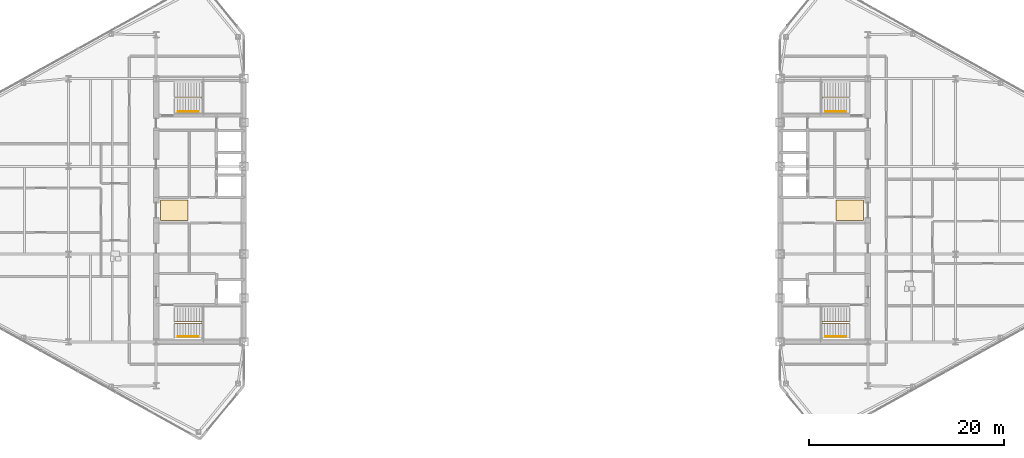
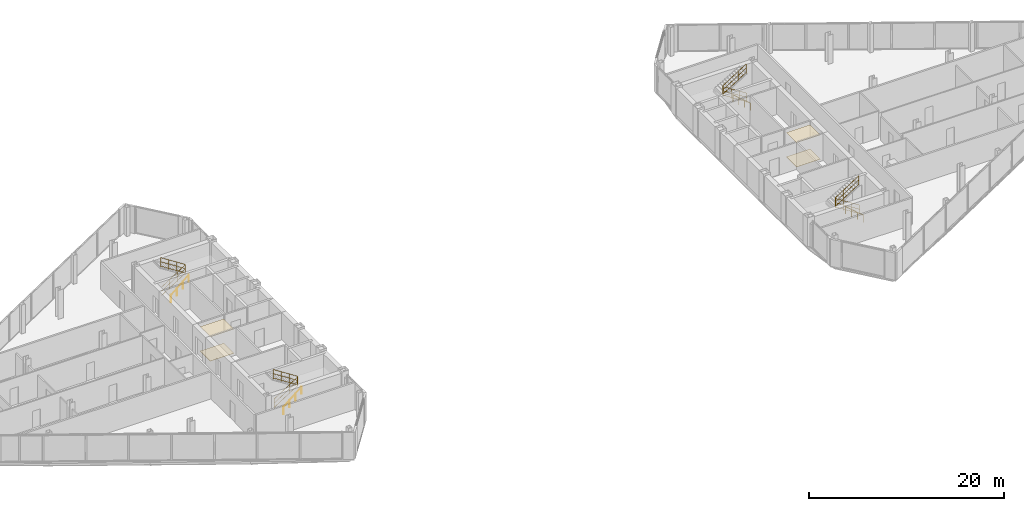
# One storey, part 24 of 25: 8 railings, 4 coverings.
"""IFC4 building model written with IfcOpenShell, lengths in metres."""

from ifc_helpers import new_model, si_unit, direction, frame, origin, origin_2d, place, context, subcontext, project, spatial, polyline, circle, outline, extrude, material, layer, layer_set, type_object, element, save


model = new_model("IFC4")

# Units and contexts
model_context = context("Model", 3, precision=1e-05, world=origin(), true_north=direction((0.0, 1.0)))
body_context = subcontext(model_context, "Body", "Model", "MODEL_VIEW")
ifc_project = project(units=[si_unit("LENGTHUNIT", "METRE"), si_unit("AREAUNIT", "SQUARE_METRE"), si_unit("VOLUMEUNIT", "CUBIC_METRE"), si_unit("PLANEANGLEUNIT", "RADIAN"), si_unit("MASSUNIT", "GRAM", prefix="KILO")], contexts=[model_context])

# Site, building, storey
site_placement = place(None, origin())
site = spatial("IfcSite", under=ifc_project, at=site_placement, CompositionType="ELEMENT")
building_placement = place(site_placement, origin())
building = spatial("IfcBuilding", under=site, at=building_placement, Name="Seokmaru Belvedere", CompositionType="ELEMENT")
storey_placement = place(building_placement, frame((0.0, 0.0, 185.10009765625)))
storey = spatial("IfcBuildingStorey", under=building, at=storey_placement, Name="L49", CompositionType="ELEMENT", Elevation=185.10009765625)

# Coverings
ifc_material_1 = material(Name="Engineered White Oak Timber", Category="wood")
ifc_layer_1 = layer(ifc_material_1, 0.02197265625)
ifc_layer_set_1 = layer_set([ifc_layer_1], Name="Engineered White Oak Timber")
covering_type_1 = type_object("IfcCoveringType", Name="Engineered Oak Residence Floor Finish 22", PredefinedType="FLOORING", material=ifc_layer_set_1)
covering_1_placement = place(storey_placement, origin())
element("IfcCovering", 1, at=covering_1_placement, inside=storey, type_object=covering_type_1, Name="L49 W Foyer Floor Finish", PredefinedType="FLOORING", context=body_context, shape_type="SweptSolid", body=[
    extrude(outline(polyline([(-36.050048828125, -1.050048828125), (-33.25, -1.050048828125), (-33.25, 1.050048828125), (-36.050048828125, 1.050048828125), (-36.050048828125, -1.050048828125)])), origin(), (0.0, 0.0, 1.0), 0.02197265625),
])
covering_2_placement = place(storey_placement, origin())
element("IfcCovering", 2, at=covering_2_placement, inside=storey, type_object=covering_type_1, Name="L49 E Foyer Floor Finish", PredefinedType="FLOORING", context=body_context, shape_type="SweptSolid", body=[
    extrude(outline(polyline([(33.25, -1.050048828125), (36.050048828125, -1.050048828125), (36.050048828125, 1.050048828125), (33.25, 1.050048828125), (33.25, -1.050048828125)])), origin(), (0.0, 0.0, 1.0), 0.02197265625),
])
ifc_material_2 = material(Name="Fire-Rated Gypsum Shaftwall")
ifc_layer_2 = layer(ifc_material_2, 0.02490234375)
ifc_layer_set_2 = layer_set([ifc_layer_2], Name="Fire-Rated Gypsum Shaftwall")
covering_type_2 = type_object("IfcCoveringType", Name="Perforated Acoustic Gypsum Suspended Ceiling 25", PredefinedType="CEILING", material=ifc_layer_set_2)
covering_3_placement = place(storey_placement, frame((0.0, 0.0, 3.02978515625)))
element("IfcCovering", 3, at=covering_3_placement, inside=storey, type_object=covering_type_2, Name="L49 W Lift Foyer Acoustic Ceiling", PredefinedType="CEILING", context=body_context, shape_type="SweptSolid", body=[
    extrude(outline(polyline([(-36.050048828125, -1.050048828125), (-33.25, -1.050048828125), (-33.25, 1.050048828125), (-36.050048828125, 1.050048828125), (-36.050048828125, -1.050048828125)])), origin(), (0.0, 0.0, 1.0), 0.025146484375),
])
covering_4_placement = place(storey_placement, frame((0.0, 0.0, 3.02978515625)))
element("IfcCovering", 4, at=covering_4_placement, inside=storey, type_object=covering_type_2, Name="L49 E Lift Foyer Acoustic Ceiling", PredefinedType="CEILING", context=body_context, shape_type="SweptSolid", body=[
    extrude(outline(polyline([(33.25, -1.050048828125), (36.050048828125, -1.050048828125), (36.050048828125, 1.050048828125), (33.25, 1.050048828125), (33.25, -1.050048828125)])), origin(), (0.0, 0.0, 1.0), 0.025146484375),
])

# Railings
ifc_material_3 = material(Name="Stainless Steel 316", Category="steel")
railing_type_1 = type_object("IfcRailingType", Name="Stainless Steel Wall and Flight Handrail 900", PredefinedType="HANDRAIL", material=ifc_material_3)
for number, where, name in (
    (5, (-34.25, -12.949951171875, 0.0), "L49 Stair ST-W1 Wall Handrail"),
    (6, (-34.25, 10.110107421875, 0.0), "L49 Stair ST-W2 Wall Handrail"),
):
    element("IfcRailing", number, at=place(storey_placement, frame(where)), inside=storey, type_object=railing_type_1, Name=name, PredefinedType="HANDRAIL", context=body_context, shape_type="SweptSolid", body=[
        extrude(circle(Radius=0.02392578125, at=origin_2d()), frame((0.0, 0.0, 0.8759765625), z_axis=(0.759306447245, 0.0, 0.650733216588), x_axis=(0.0, 1.0, 0.0)), (0.0, 0.0, 1.0), 2.765869140625),
        extrude(circle(Radius=0.02099609375, at=origin_2d()), origin(), (0.0, 0.0, 1.0), 0.851806640625),
        extrude(circle(Radius=0.02099609375, at=origin_2d()), frame((0.699951171875, 0.0, 0.599853515625)), (0.0, 0.0, 1.0), 0.851806640625),
        extrude(circle(Radius=0.02099609375, at=origin_2d()), frame((1.400146484375, 0.0, 1.199951171875)), (0.0, 0.0, 1.0), 0.851806640625),
        extrude(circle(Radius=0.02099609375, at=origin_2d()), frame((2.10009765625, 0.0, 1.7998046875)), (0.0, 0.0, 1.0), 0.851806640625),
    ])
for number, where, name in (
    (7, (34.25, -12.949951171875, 0.0), "L49 Stair ST-E1 Wall Handrail"),
    (8, (34.25, 10.110107421875, 0.0), "L49 Stair ST-E2 Wall Handrail"),
):
    element("IfcRailing", number, at=place(storey_placement, frame(where)), inside=storey, type_object=railing_type_1, Name=name, PredefinedType="HANDRAIL", context=body_context, shape_type="SweptSolid", body=[
        extrude(circle(Radius=0.02392578125, at=origin_2d()), frame((0.0, 0.0, 0.8759765625), z_axis=(-0.759306447245, 0.0, 0.650733216588), x_axis=(0.0, -1.0, 0.0)), (0.0, 0.0, 1.0), 2.765869140625),
        extrude(circle(Radius=0.02099609375, at=origin_2d()), origin(), (0.0, 0.0, 1.0), 0.851806640625),
        extrude(circle(Radius=0.02099609375, at=origin_2d()), frame((-0.699951171875, 0.0, 0.599853515625)), (0.0, 0.0, 1.0), 0.851806640625),
        extrude(circle(Radius=0.02099609375, at=origin_2d()), frame((-1.400146484375, 0.0, 1.199951171875)), (0.0, 0.0, 1.0), 0.851806640625),
        extrude(circle(Radius=0.02099609375, at=origin_2d()), frame((-2.10009765625, 0.0, 1.7998046875)), (0.0, 0.0, 1.0), 0.851806640625),
    ])
railing_type_2 = type_object("IfcRailingType", Name="Stair Well and Atrium Steel Guardrail 1200", PredefinedType="GUARDRAIL", material=ifc_material_3)
railing_1_placement = place(storey_placement, frame((-34.60009765625, -11.60009765625, 0.0)))
element("IfcRailing", 9, at=railing_1_placement, inside=storey, type_object=railing_type_2, Name="L49 Stair ST-W1 Inner Well Guardrail", PredefinedType="GUARDRAIL", context=body_context, shape_type="SweptSolid", body=[
    extrude(circle(Radius=0.02392578125, at=origin_2d()), frame((0.0, 0.0, 1.17578125), z_axis=(0.841209454229, 0.0, 0.540709398952), x_axis=(0.0, 1.0, 0.0)), (0.0, 0.0, 1.0), 3.32861328125),
    extrude(circle(Radius=0.02392578125, at=origin_2d()), frame((0.0, 0.0, 0.1201171875), z_axis=(0.841209454229, 0.0, 0.540709398952), x_axis=(0.0, 1.0, 0.0)), (0.0, 0.0, 1.0), 3.32861328125),
    extrude(circle(Radius=0.02392578125, at=origin_2d()), frame((0.0, 0.0, 0.659912109375), z_axis=(0.841209454229, 0.0, 0.540709398952), x_axis=(0.0, 1.0, 0.0)), (0.0, 0.0, 1.0), 3.32861328125),
    extrude(circle(Radius=0.02392578125, at=origin_2d()), frame((2.800048828125, 0.0, 2.9755859375), z_axis=(0.0, 1.0, 0.0), x_axis=(-1.0, 0.0, 0.0)), (0.0, 0.0, 1.0), 0.14013671875),
    extrude(circle(Radius=0.02392578125, at=origin_2d()), frame((2.800048828125, 0.0, 1.919921875), z_axis=(0.0, 1.0, 0.0), x_axis=(-1.0, 0.0, 0.0)), (0.0, 0.0, 1.0), 0.14013671875),
    extrude(circle(Radius=0.02392578125, at=origin_2d()), frame((2.800048828125, 0.0, 2.459716796875), z_axis=(0.0, 1.0, 0.0), x_axis=(-1.0, 0.0, 0.0)), (0.0, 0.0, 1.0), 0.14013671875),
    extrude(circle(Radius=0.02392578125, at=origin_2d()), frame((2.800048828125, 0.14013671875, 2.9755859375), z_axis=(-0.841176092368, 0.0, 0.540761298198), x_axis=(0.0, -1.0, 0.0)), (0.0, 0.0, 1.0), 3.32861328125),
    extrude(circle(Radius=0.02392578125, at=origin_2d()), frame((2.800048828125, 0.14013671875, 1.919921875), z_axis=(-0.841176092368, 0.0, 0.540761298198), x_axis=(0.0, -1.0, 0.0)), (0.0, 0.0, 1.0), 3.32861328125),
    extrude(circle(Radius=0.02392578125, at=origin_2d()), frame((2.800048828125, 0.14013671875, 2.459716796875), z_axis=(-0.841176092368, 0.0, 0.540761298198), x_axis=(0.0, -1.0, 0.0)), (0.0, 0.0, 1.0), 3.32861328125),
    extrude(circle(Radius=0.02099609375, at=origin_2d()), origin(), (0.0, 0.0, 1.0), 1.15185546875),
    extrude(circle(Radius=0.02099609375, at=origin_2d()), frame((0.933349609375, 0.0, 0.599853515625)), (0.0, 0.0, 1.0), 1.15185546875),
    extrude(circle(Radius=0.02099609375, at=origin_2d()), frame((1.86669921875, 0.0, 1.199951171875)), (0.0, 0.0, 1.0), 1.15185546875),
    extrude(circle(Radius=0.02099609375, at=origin_2d()), frame((2.800048828125, 0.0, 1.7998046875)), (0.0, 0.0, 1.0), 1.15185546875),
    extrude(circle(Radius=0.02099609375, at=origin_2d()), frame((2.800048828125, 0.14013671875, 1.7998046875)), (0.0, 0.0, 1.0), 1.15185546875),
    extrude(circle(Radius=0.02099609375, at=origin_2d()), frame((1.86669921875, 0.14013671875, 2.39990234375)), (0.0, 0.0, 1.0), 1.15185546875),
    extrude(circle(Radius=0.02099609375, at=origin_2d()), frame((0.933349609375, 0.14013671875, 2.999755859375)), (0.0, 0.0, 1.0), 1.15185546875),
    extrude(circle(Radius=0.02099609375, at=origin_2d()), frame((0.0, 0.14013671875, 3.599853515625)), (0.0, 0.0, 1.0), 1.15185546875),
])
railing_2_placement = place(storey_placement, frame((-34.60009765625, 11.4599609375, 0.0)))
element("IfcRailing", 10, at=railing_2_placement, inside=storey, type_object=railing_type_2, Name="L49 Stair ST-W2 Inner Well Guardrail", PredefinedType="GUARDRAIL", context=body_context, shape_type="SweptSolid", body=[
    extrude(circle(Radius=0.02392578125, at=origin_2d()), frame((0.0, 0.0, 1.17578125), z_axis=(0.841209454229, 0.0, 0.540709398952), x_axis=(0.0, 1.0, 0.0)), (0.0, 0.0, 1.0), 3.32861328125),
    extrude(circle(Radius=0.02392578125, at=origin_2d()), frame((0.0, 0.0, 0.1201171875), z_axis=(0.841209454229, 0.0, 0.540709398952), x_axis=(0.0, 1.0, 0.0)), (0.0, 0.0, 1.0), 3.32861328125),
    extrude(circle(Radius=0.02392578125, at=origin_2d()), frame((0.0, 0.0, 0.659912109375), z_axis=(0.841209454229, 0.0, 0.540709398952), x_axis=(0.0, 1.0, 0.0)), (0.0, 0.0, 1.0), 3.32861328125),
    extrude(circle(Radius=0.02392578125, at=origin_2d()), frame((2.800048828125, 0.0, 2.9755859375), z_axis=(0.0, 1.0, 0.0), x_axis=(-1.0, 0.0, 0.0)), (0.0, 0.0, 1.0), 0.14013671875),
    extrude(circle(Radius=0.02392578125, at=origin_2d()), frame((2.800048828125, 0.0, 1.919921875), z_axis=(0.0, 1.0, 0.0), x_axis=(-1.0, 0.0, 0.0)), (0.0, 0.0, 1.0), 0.14013671875),
    extrude(circle(Radius=0.02392578125, at=origin_2d()), frame((2.800048828125, 0.0, 2.459716796875), z_axis=(0.0, 1.0, 0.0), x_axis=(-1.0, 0.0, 0.0)), (0.0, 0.0, 1.0), 0.14013671875),
    extrude(circle(Radius=0.02392578125, at=origin_2d()), frame((2.800048828125, 0.14013671875, 2.9755859375), z_axis=(-0.841176092368, 0.0, 0.540761298198), x_axis=(0.0, -1.0, 0.0)), (0.0, 0.0, 1.0), 3.32861328125),
    extrude(circle(Radius=0.02392578125, at=origin_2d()), frame((2.800048828125, 0.14013671875, 1.919921875), z_axis=(-0.841176092368, 0.0, 0.540761298198), x_axis=(0.0, -1.0, 0.0)), (0.0, 0.0, 1.0), 3.32861328125),
    extrude(circle(Radius=0.02392578125, at=origin_2d()), frame((2.800048828125, 0.14013671875, 2.459716796875), z_axis=(-0.841176092368, 0.0, 0.540761298198), x_axis=(0.0, -1.0, 0.0)), (0.0, 0.0, 1.0), 3.32861328125),
    extrude(circle(Radius=0.02099609375, at=origin_2d()), origin(), (0.0, 0.0, 1.0), 1.15185546875),
    extrude(circle(Radius=0.02099609375, at=origin_2d()), frame((0.933349609375, 0.0, 0.599853515625)), (0.0, 0.0, 1.0), 1.15185546875),
    extrude(circle(Radius=0.02099609375, at=origin_2d()), frame((1.86669921875, 0.0, 1.199951171875)), (0.0, 0.0, 1.0), 1.15185546875),
    extrude(circle(Radius=0.02099609375, at=origin_2d()), frame((2.800048828125, 0.0, 1.7998046875)), (0.0, 0.0, 1.0), 1.15185546875),
    extrude(circle(Radius=0.02099609375, at=origin_2d()), frame((2.800048828125, 0.14013671875, 1.7998046875)), (0.0, 0.0, 1.0), 1.15185546875),
    extrude(circle(Radius=0.02099609375, at=origin_2d()), frame((1.86669921875, 0.14013671875, 2.39990234375)), (0.0, 0.0, 1.0), 1.15185546875),
    extrude(circle(Radius=0.02099609375, at=origin_2d()), frame((0.933349609375, 0.14013671875, 2.999755859375)), (0.0, 0.0, 1.0), 1.15185546875),
    extrude(circle(Radius=0.02099609375, at=origin_2d()), frame((0.0, 0.14013671875, 3.599853515625)), (0.0, 0.0, 1.0), 1.15185546875),
])
railing_3_placement = place(storey_placement, frame((34.60009765625, -11.60009765625, 0.0)))
element("IfcRailing", 11, at=railing_3_placement, inside=storey, type_object=railing_type_2, Name="L49 Stair ST-E1 Inner Well Guardrail", PredefinedType="GUARDRAIL", context=body_context, shape_type="SweptSolid", body=[
    extrude(circle(Radius=0.02392578125, at=origin_2d()), frame((0.0, 0.0, 1.17578125), z_axis=(-0.841209454229, 0.0, 0.540709398952), x_axis=(0.0, -1.0, 0.0)), (0.0, 0.0, 1.0), 3.32861328125),
    extrude(circle(Radius=0.02392578125, at=origin_2d()), frame((0.0, 0.0, 0.1201171875), z_axis=(-0.841209454229, 0.0, 0.540709398952), x_axis=(0.0, -1.0, 0.0)), (0.0, 0.0, 1.0), 3.32861328125),
    extrude(circle(Radius=0.02392578125, at=origin_2d()), frame((0.0, 0.0, 0.659912109375), z_axis=(-0.841209454229, 0.0, 0.540709398952), x_axis=(0.0, -1.0, 0.0)), (0.0, 0.0, 1.0), 3.32861328125),
    extrude(circle(Radius=0.02392578125, at=origin_2d()), frame((-2.800048828125, 0.0, 2.9755859375), z_axis=(0.0, 1.0, 0.0), x_axis=(-1.0, 0.0, 0.0)), (0.0, 0.0, 1.0), 0.14013671875),
    extrude(circle(Radius=0.02392578125, at=origin_2d()), frame((-2.800048828125, 0.0, 1.919921875), z_axis=(0.0, 1.0, 0.0), x_axis=(-1.0, 0.0, 0.0)), (0.0, 0.0, 1.0), 0.14013671875),
    extrude(circle(Radius=0.02392578125, at=origin_2d()), frame((-2.800048828125, 0.0, 2.459716796875), z_axis=(0.0, 1.0, 0.0), x_axis=(-1.0, 0.0, 0.0)), (0.0, 0.0, 1.0), 0.14013671875),
    extrude(circle(Radius=0.02392578125, at=origin_2d()), frame((-2.800048828125, 0.14013671875, 2.9755859375), z_axis=(0.841176092368, 0.0, 0.540761298198), x_axis=(0.0, 1.0, 0.0)), (0.0, 0.0, 1.0), 3.32861328125),
    extrude(circle(Radius=0.02392578125, at=origin_2d()), frame((-2.800048828125, 0.14013671875, 1.919921875), z_axis=(0.841176092368, 0.0, 0.540761298198), x_axis=(0.0, 1.0, 0.0)), (0.0, 0.0, 1.0), 3.32861328125),
    extrude(circle(Radius=0.02392578125, at=origin_2d()), frame((-2.800048828125, 0.14013671875, 2.459716796875), z_axis=(0.841176092368, 0.0, 0.540761298198), x_axis=(0.0, 1.0, 0.0)), (0.0, 0.0, 1.0), 3.32861328125),
    extrude(circle(Radius=0.02099609375, at=origin_2d()), origin(), (0.0, 0.0, 1.0), 1.15185546875),
    extrude(circle(Radius=0.02099609375, at=origin_2d()), frame((-0.933349609375, 0.0, 0.599853515625)), (0.0, 0.0, 1.0), 1.15185546875),
    extrude(circle(Radius=0.02099609375, at=origin_2d()), frame((-1.86669921875, 0.0, 1.199951171875)), (0.0, 0.0, 1.0), 1.15185546875),
    extrude(circle(Radius=0.02099609375, at=origin_2d()), frame((-2.800048828125, 0.0, 1.7998046875)), (0.0, 0.0, 1.0), 1.15185546875),
    extrude(circle(Radius=0.02099609375, at=origin_2d()), frame((-2.800048828125, 0.14013671875, 1.7998046875)), (0.0, 0.0, 1.0), 1.15185546875),
    extrude(circle(Radius=0.02099609375, at=origin_2d()), frame((-1.86669921875, 0.14013671875, 2.39990234375)), (0.0, 0.0, 1.0), 1.15185546875),
    extrude(circle(Radius=0.02099609375, at=origin_2d()), frame((-0.933349609375, 0.14013671875, 2.999755859375)), (0.0, 0.0, 1.0), 1.15185546875),
    extrude(circle(Radius=0.02099609375, at=origin_2d()), frame((0.0, 0.14013671875, 3.599853515625)), (0.0, 0.0, 1.0), 1.15185546875),
])
railing_4_placement = place(storey_placement, frame((34.60009765625, 11.4599609375, 0.0)))
element("IfcRailing", 12, at=railing_4_placement, inside=storey, type_object=railing_type_2, Name="L49 Stair ST-E2 Inner Well Guardrail", PredefinedType="GUARDRAIL", context=body_context, shape_type="SweptSolid", body=[
    extrude(circle(Radius=0.02392578125, at=origin_2d()), frame((0.0, 0.0, 1.17578125), z_axis=(-0.841209454229, 0.0, 0.540709398952), x_axis=(0.0, -1.0, 0.0)), (0.0, 0.0, 1.0), 3.32861328125),
    extrude(circle(Radius=0.02392578125, at=origin_2d()), frame((0.0, 0.0, 0.1201171875), z_axis=(-0.841209454229, 0.0, 0.540709398952), x_axis=(0.0, -1.0, 0.0)), (0.0, 0.0, 1.0), 3.32861328125),
    extrude(circle(Radius=0.02392578125, at=origin_2d()), frame((0.0, 0.0, 0.659912109375), z_axis=(-0.841209454229, 0.0, 0.540709398952), x_axis=(0.0, -1.0, 0.0)), (0.0, 0.0, 1.0), 3.32861328125),
    extrude(circle(Radius=0.02392578125, at=origin_2d()), frame((-2.800048828125, 0.0, 2.9755859375), z_axis=(0.0, 1.0, 0.0), x_axis=(-1.0, 0.0, 0.0)), (0.0, 0.0, 1.0), 0.14013671875),
    extrude(circle(Radius=0.02392578125, at=origin_2d()), frame((-2.800048828125, 0.0, 1.919921875), z_axis=(0.0, 1.0, 0.0), x_axis=(-1.0, 0.0, 0.0)), (0.0, 0.0, 1.0), 0.14013671875),
    extrude(circle(Radius=0.02392578125, at=origin_2d()), frame((-2.800048828125, 0.0, 2.459716796875), z_axis=(0.0, 1.0, 0.0), x_axis=(-1.0, 0.0, 0.0)), (0.0, 0.0, 1.0), 0.14013671875),
    extrude(circle(Radius=0.02392578125, at=origin_2d()), frame((-2.800048828125, 0.14013671875, 2.9755859375), z_axis=(0.841176092368, 0.0, 0.540761298198), x_axis=(0.0, 1.0, 0.0)), (0.0, 0.0, 1.0), 3.32861328125),
    extrude(circle(Radius=0.02392578125, at=origin_2d()), frame((-2.800048828125, 0.14013671875, 1.919921875), z_axis=(0.841176092368, 0.0, 0.540761298198), x_axis=(0.0, 1.0, 0.0)), (0.0, 0.0, 1.0), 3.32861328125),
    extrude(circle(Radius=0.02392578125, at=origin_2d()), frame((-2.800048828125, 0.14013671875, 2.459716796875), z_axis=(0.841176092368, 0.0, 0.540761298198), x_axis=(0.0, 1.0, 0.0)), (0.0, 0.0, 1.0), 3.32861328125),
    extrude(circle(Radius=0.02099609375, at=origin_2d()), origin(), (0.0, 0.0, 1.0), 1.15185546875),
    extrude(circle(Radius=0.02099609375, at=origin_2d()), frame((-0.933349609375, 0.0, 0.599853515625)), (0.0, 0.0, 1.0), 1.15185546875),
    extrude(circle(Radius=0.02099609375, at=origin_2d()), frame((-1.86669921875, 0.0, 1.199951171875)), (0.0, 0.0, 1.0), 1.15185546875),
    extrude(circle(Radius=0.02099609375, at=origin_2d()), frame((-2.800048828125, 0.0, 1.7998046875)), (0.0, 0.0, 1.0), 1.15185546875),
    extrude(circle(Radius=0.02099609375, at=origin_2d()), frame((-2.800048828125, 0.14013671875, 1.7998046875)), (0.0, 0.0, 1.0), 1.15185546875),
    extrude(circle(Radius=0.02099609375, at=origin_2d()), frame((-1.86669921875, 0.14013671875, 2.39990234375)), (0.0, 0.0, 1.0), 1.15185546875),
    extrude(circle(Radius=0.02099609375, at=origin_2d()), frame((-0.933349609375, 0.14013671875, 2.999755859375)), (0.0, 0.0, 1.0), 1.15185546875),
    extrude(circle(Radius=0.02099609375, at=origin_2d()), frame((0.0, 0.14013671875, 3.599853515625)), (0.0, 0.0, 1.0), 1.15185546875),
])

save(model, "model.ifc")
